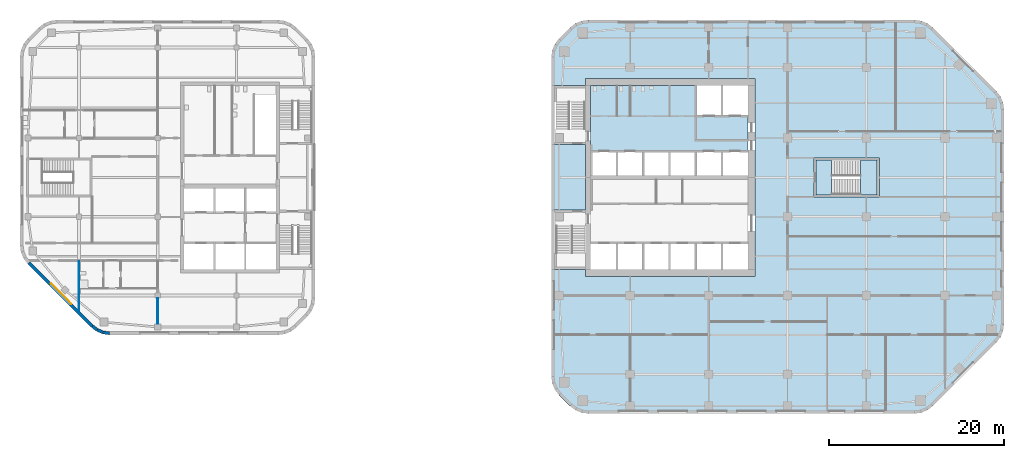
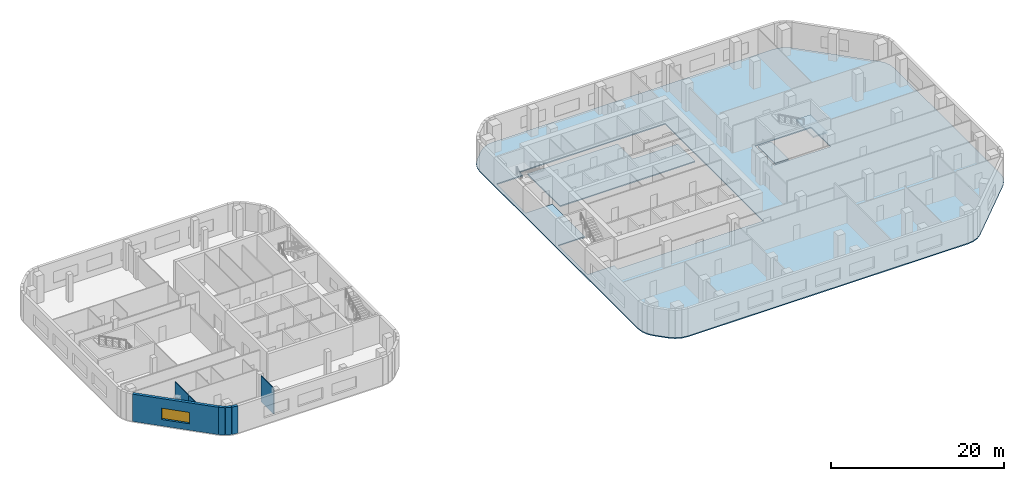
# One storey, part 4 of 14: 7 walls, 4 slabs, 1 window, 1 opening, 1 element without a shape of its own.
"""IFC4 building model written with IfcOpenShell, lengths in metres."""

from ifc_helpers import new_model, si_unit, direction, frame, frame_2d, origin, place, context, subcontext, project, spatial, polyline, rectangle, outline, extrude, material, layer, layer_set, type_object, element, fill, aggregate, save


model = new_model("IFC4")

# Units and contexts
model_context = context("Model", 3, precision=1e-05, world=origin(), true_north=direction((0.0, 1.0)))
body_context = subcontext(model_context, "Body", "Model", "MODEL_VIEW")
ifc_project = project(units=[si_unit("LENGTHUNIT", "METRE"), si_unit("AREAUNIT", "SQUARE_METRE"), si_unit("VOLUMEUNIT", "CUBIC_METRE"), si_unit("PLANEANGLEUNIT", "RADIAN"), si_unit("MASSUNIT", "GRAM", prefix="KILO")], contexts=[model_context])

# Site, building, storey
site_placement = place(None, origin())
site = spatial("IfcSite", under=ifc_project, at=site_placement, CompositionType="ELEMENT")
building_placement = place(site_placement, origin())
building = spatial("IfcBuilding", under=site, at=building_placement, Name="Cinnabar Reach Civic Tower", CompositionType="ELEMENT")
storey_placement = place(building_placement, frame((0.0, 0.0, 104.0)))
storey = spatial("IfcBuildingStorey", under=building, at=storey_placement, Name="L24", CompositionType="ELEMENT", Elevation=104.0)

# Slab
ifc_material_1 = material(Name="Concrete C40", Category="concrete")
ifc_layer_1 = layer(ifc_material_1, 0.15)
ifc_layer_set_1 = layer_set([ifc_layer_1], Name="Composite floor slab 150 REI 150")
slab_type_1 = type_object("IfcSlabType", Name="Composite floor slab 150 REI 150", PredefinedType="FLOOR", material=ifc_layer_set_1)
slab_1_placement = place(storey_placement, frame((0.0, 0.0, -0.15)))
element("IfcSlab", 1, at=slab_1_placement, inside=storey, type_object=slab_type_1, Name="Composite floor slab 150 T1 L24", PredefinedType="FLOOR", context=body_context, shape_type="SweptSolid", body=[
    extrude(outline(polyline([(0.8787, 6.6213), (0.4019, 7.2426), (0.1022, 7.9662), (0.0, 8.7426), (0.0, 45.2574), (0.1022, 46.0338), (0.4019, 46.7574), (0.8787, 47.3787), (2.1213, 48.6213), (2.7426, 49.0981), (3.4662, 49.3978), (4.2426, 49.5), (41.5074, 49.5), (42.2838, 49.3978), (43.0074, 49.0981), (43.6287, 48.6213), (50.8713, 41.3787), (51.3481, 40.7574), (51.6478, 40.0338), (51.75, 39.2574), (51.75, 14.7426), (51.6478, 13.9662), (51.3481, 13.2426), (50.8713, 12.6213), (43.6287, 5.3787), (43.0074, 4.9019), (42.2838, 4.6022), (41.5074, 4.5), (4.2426, 4.5), (3.4662, 4.6022), (2.7426, 4.9019), (2.1213, 5.3787), (0.8787, 6.6213)]), holes=[polyline([(0.36, 21.0), (3.9, 21.0), (3.9, 20.2), (23.3, 20.2), (23.3, 42.8), (3.9, 42.8), (3.9, 42.0), (0.36, 42.0), (0.36, 35.25), (3.9, 35.25), (3.9, 27.75), (0.36, 27.75), (0.36, 21.0)]), polyline([(30.0, 33.75), (30.0, 29.25), (37.5, 29.25), (37.5, 33.75), (30.0, 33.75)])]), origin(), (0.0, 0.0, 1.0), 0.15),
])

# Stair, slabs
ifc_material_2 = material(Name="Concrete C40/50", Category="concrete")
stair_type = type_object("IfcStairType", Name="T1 Exit stair, half-turn", PredefinedType="HALF_TURN_STAIR", material=ifc_material_2)
stair_placement = place(storey_placement, origin())
stair = element("IfcStair", 2, at=stair_placement, inside=storey, type_object=stair_type, Name="Stair T1-S3", PredefinedType="HALF_TURN_STAIR")
ifc_layer_2 = layer(ifc_material_2, 0.2)
ifc_layer_set_2 = layer_set([ifc_layer_2], Name="T1 Stair landing 200, Concrete C40/50")
slab_type_2 = type_object("IfcSlabType", Name="T1 Stair landing 200, Concrete C40/50", PredefinedType="LANDING", material=ifc_layer_set_2)
slab_2_placement = place(storey_placement, frame((0.0, 0.0, -0.2)))
slab_2 = element("IfcSlab", 3, at=slab_2_placement, type_object=slab_type_2, Name="T1-S3 landing 1", PredefinedType="LANDING", context=body_context, shape_type="SweptSolid", body=[
    extrude(outline(polyline([(30.25, 29.5), (32.05, 29.5), (32.05, 33.5), (30.25, 33.5), (30.25, 29.5)])), origin(), (0.0, 0.0, 1.0), 0.2),
])
slab_3_placement = place(storey_placement, frame((0.0, 0.0, 1.8)))
slab_3 = element("IfcSlab", 4, at=slab_3_placement, type_object=slab_type_2, Name="T1-S3 landing 2", PredefinedType="LANDING", context=body_context, shape_type="SweptSolid", body=[
    extrude(outline(polyline([(35.35, 29.5), (37.25, 29.5), (37.25, 33.5), (35.35, 33.5), (35.35, 29.5)])), origin(), (0.0, 0.0, 1.0), 0.2),
])
aggregate(stair, [slab_2, slab_3])

# Slab
ifc_layer_3 = layer(ifc_material_2, 0.15)
ifc_layer_set_3 = layer_set([ifc_layer_3], Name="T1 core floor slab 150")
slab_type_3 = type_object("IfcSlabType", Name="T1 core floor slab 150", PredefinedType="FLOOR", material=ifc_layer_set_3)
slab_4_placement = place(storey_placement, frame((0.0, 0.0, -0.15)))
element("IfcSlab", 5, at=slab_4_placement, inside=storey, type_object=slab_type_3, Name="Core floor slab L24", PredefinedType="FLOOR", context=body_context, shape_type="SweptSolid", body=[
    extrude(outline(polyline([(22.5, 34.5), (19.5, 34.5), (16.5, 34.5), (13.5, 34.5), (10.5, 34.5), (7.5, 34.5), (4.5, 34.5), (4.5, 42.0), (16.5, 42.0), (16.5, 38.5), (19.5, 38.5), (22.5, 38.5), (22.5, 34.5)])), origin(), (0.0, 0.0, 1.0), 0.15),
])

# Walls
ifc_material_3 = material(Name="Facing brick with insulated backing", Category="masonry")
ifc_layer_4 = layer(ifc_material_3, 0.36)
ifc_layer_set_4 = layer_set([ifc_layer_4], Name="Brick corner wall")
wall_type_1 = type_object("IfcWallType", Name="Brick corner wall", PredefinedType="STANDARD", material=ifc_layer_set_4)
wall_1_placement = place(storey_placement, frame((-52.4913, 14.5002, 0.0), z_axis=(0.0, 0.0, 1.0), x_axis=(0.793321924995, -0.608802368033, 0.0)))
element("IfcWall", 6, at=wall_1_placement, inside=storey, type_object=wall_type_1, Name="Brick corner wall", PredefinedType="STANDARD", context=body_context, shape_type="SweptSolid", body=[
    extrude(rectangle(XDim=0.7132, YDim=0.36, at=frame_2d((0.3566, 0.0))), origin(), (0.0, 0.0, 1.0), 3.85),
])
for number, where, z_axis, x_axis, name in (
    (7, (-51.9061, 14.0548, 0.0), (0.0, 0.0, 1.0), (0.923871547278, -0.382702709855, 0.0), "Brick corner wall"),
    (8, (-51.2256, 13.7761, 0.0), (0.0, 0.0, 1.0), (0.99144092581, -0.13055608231, 0.0), "Brick corner wall"),
):
    element("IfcWall", number, at=place(storey_placement, frame(where, z_axis=z_axis, x_axis=x_axis)), inside=storey, type_object=wall_type_1, Name=name, PredefinedType="STANDARD", context=body_context, shape_type="SweptSolid", body=[
        extrude(rectangle(XDim=0.7131, YDim=0.36, at=frame_2d((0.3565, 0.0))), origin(), (0.0, 0.0, 1.0), 3.85),
    ])

# Wall, opening, window
ifc_layer_5 = layer(ifc_material_3, 0.36)
ifc_layer_set_5 = layer_set([ifc_layer_5], Name="Brick pier and spandrel wall")
wall_type_2 = type_object("IfcWallType", Name="Brick pier and spandrel wall", PredefinedType="STANDARD", material=ifc_layer_set_5)
wall_2_placement = place(storey_placement, frame((-59.744, 21.7486, 0.0), z_axis=(0.0, 0.0, 1.0), x_axis=(0.707106781187, -0.707106781187, 0.0)))
wall_2 = element("IfcWall", 9, at=wall_2_placement, inside=storey, type_object=wall_type_2, Name="Brick facade wall", PredefinedType="STANDARD", context=body_context, shape_type="SweptSolid", body=[
    extrude(rectangle(XDim=10.2426, YDim=0.36, at=frame_2d((5.1213, 0.0))), origin(), (0.0, 0.0, 1.0), 3.85),
])
opening_placement = place(wall_2_placement, frame((3.4713, 0.0, 0.9)))
opening = element("IfcOpeningElement", 10, at=opening_placement, cuts=wall_2, Name="Opening W2694", PredefinedType="OPENING", context=body_context, shape_type="SweptSolid", body=[
    extrude(rectangle(XDim=3.3, YDim=1.6, at=frame_2d((1.65, 0.8))), frame((0.0, 0.19, 0.0), z_axis=(0.0, -1.0, 0.0), x_axis=(1.0, 0.0, 0.0)), (0.0, 0.0, 1.0), 0.38),
])
ifc_material_4 = material(Name="Clear double glazing in aluminium frame", Category="aluminium")
window_type = type_object("IfcWindowType", Name="Deep-set window A", PartitioningType="SINGLE_PANEL", PredefinedType="WINDOW", material=ifc_material_4)
window_placement = place(opening_placement, origin())
window = element("IfcWindow", 11, at=window_placement, inside=storey, type_object=window_type, Name="Window southwest face", OverallHeight=1.6, OverallWidth=3.3, PartitioningType="SINGLE_PANEL", PredefinedType="WINDOW", context=body_context, shape_type="SweptSolid", body=[
    extrude(rectangle(XDim=3.3, YDim=1.6, at=frame_2d((1.65, 0.8))), frame((0.0, 0.13, 0.0), z_axis=(0.0, -1.0, 0.0), x_axis=(1.0, 0.0, 0.0)), (0.0, 0.0, 1.0), 0.06),
])
fill(opening, window)

# Walls
ifc_material_5 = material(Name="Gypsum board on steel studs", Category="steel")
ifc_layer_6 = layer(ifc_material_5, 0.1)
ifc_layer_set_6 = layer_set([ifc_layer_6], Name="Partition wall 100 T2")
wall_type_3 = type_object("IfcWallType", Name="Partition wall 100 T2", PredefinedType="PARTITIONING", material=ifc_layer_set_6)
wall_3_placement = place(storey_placement, frame((-45.0, 14.75, 0.0), z_axis=(0.0, 0.0, 1.0), x_axis=(0.0, 1.0, 0.0)))
element("IfcWall", 12, at=wall_3_placement, inside=storey, type_object=wall_type_3, Name="Partition wall 16", PredefinedType="PARTITIONING", context=body_context, shape_type="SweptSolid", body=[
    extrude(rectangle(XDim=2.95, YDim=0.1, at=frame_2d((1.475, 0.0))), origin(), (0.0, 0.0, 1.0), 3.652),
])
wall_4_placement = place(storey_placement, frame((-54.0, 18.85, 0.0), z_axis=(0.0, 0.0, 1.0), x_axis=(0.0, 1.0, 0.0)))
element("IfcWall", 13, at=wall_4_placement, inside=storey, type_object=wall_type_3, Name="Partition wall 17", PredefinedType="PARTITIONING", context=body_context, shape_type="SweptSolid", body=[
    extrude(rectangle(XDim=3.075, YDim=0.1, at=frame_2d((1.5375, 0.0))), origin(), (0.0, 0.0, 1.0), 3.362),
])
wall_5_placement = place(storey_placement, frame((-54.0, 16.2591, 0.0), z_axis=(0.0, 0.0, 1.0), x_axis=(0.0, 1.0, 0.0)))
element("IfcWall", 14, at=wall_5_placement, inside=storey, type_object=wall_type_3, Name="Partition wall 18", PredefinedType="PARTITIONING", context=body_context, shape_type="SweptSolid", body=[
    extrude(rectangle(XDim=2.4909, YDim=0.1, at=frame_2d((1.2454, 0.0))), origin(), (0.0, 0.0, 1.0), 3.362),
])

save(model, "model.ifc")
